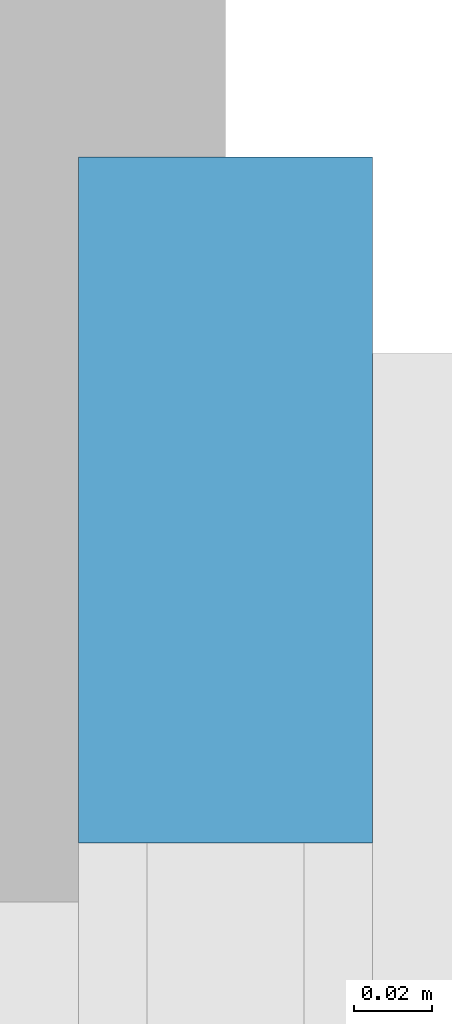
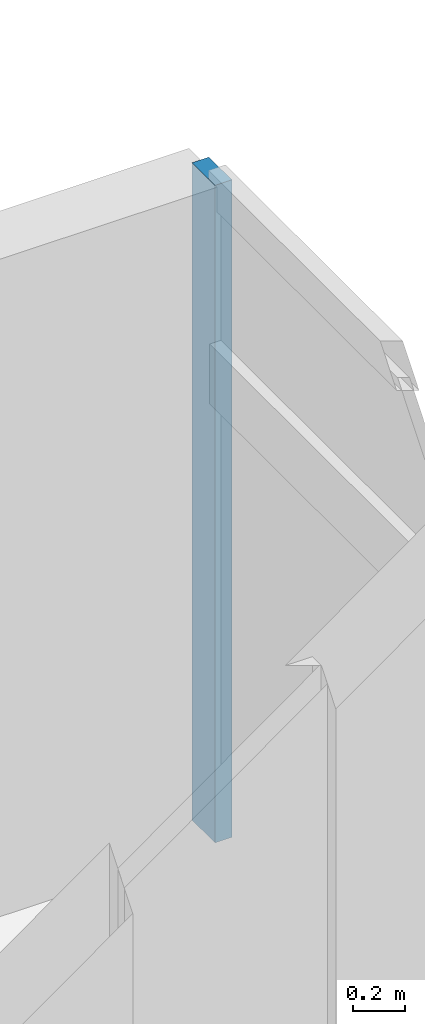
# One storey, part 6 of 14: 1 member, 1 element without a shape of its own.
"""IFC4 building model written with IfcOpenShell, lengths in metres."""

from ifc_helpers import new_model, si_unit, direction, frame, origin, origin_2d, place, context, subcontext, project, spatial, rectangle, extrude, material, material_profile, profile_set, type_object, element, aggregate, save


model = new_model("IFC4")

# Units and contexts
model_context = context("Model", 3, precision=1e-05, world=origin(), true_north=direction((0.0, 1.0)))
body_context = subcontext(model_context, "Body", "Model", "MODEL_VIEW")
ifc_project = project(units=[si_unit("LENGTHUNIT", "METRE"), si_unit("AREAUNIT", "SQUARE_METRE"), si_unit("VOLUMEUNIT", "CUBIC_METRE"), si_unit("PLANEANGLEUNIT", "RADIAN"), si_unit("MASSUNIT", "GRAM", prefix="KILO")], contexts=[model_context])

# Site, building, storey
site_placement = place(None, origin())
site = spatial("IfcSite", under=ifc_project, at=site_placement, CompositionType="ELEMENT")
building_placement = place(site_placement, origin())
building = spatial("IfcBuilding", under=site, at=building_placement, Name="Mirazonda Arch Towers", CompositionType="ELEMENT")
storey_placement = place(building_placement, frame((0.0, 0.0, 242.5)))
storey = spatial("IfcBuildingStorey", under=building, at=storey_placement, Name="L69", CompositionType="ELEMENT", Elevation=242.5)

# Curtain wall, member
ifc_material_1 = material(Name="Anodised Aluminium and Low-E Glass", Category="aluminium")
curtain_wall_type = type_object("IfcCurtainWallType", Name="CW-RES-UNIT", PredefinedType="NOTDEFINED", material=ifc_material_1)
curtain_wall_placement = place(storey_placement, origin())
curtain_wall = element("IfcCurtainWall", 1, at=curtain_wall_placement, inside=storey, type_object=curtain_wall_type, Name="L69 T1 E Facade CW-L69-T1-E", PredefinedType="NOTDEFINED")
ifc_material_2 = material(Name="Anodised Aluminium Alloy", Category="aluminium")
ifc_material_profile = material_profile(ifc_material_2, rectangle(XDim=0.074951171875, YDim=0.175048828125, at=origin_2d()), Name="ALU-MULL-75x175")
ifc_profile_set = profile_set([ifc_material_profile], Name="Anodised Aluminium Alloy")
member_type = type_object("IfcMemberType", Name="MULL-CW-RES-UNIT", PredefinedType="MULLION", material=ifc_profile_set)
member_placement = place(storey_placement, frame((42.5400390625, 41.798583984375, 0.0), z_axis=(0.0, 0.0, 1.0), x_axis=(-1.0, 0.0, 0.0)))
member = element("IfcMember", 2, at=member_placement, type_object=member_type, Name="CW-104 mullion 4", PredefinedType="MULLION", context=body_context, shape_type="SweptSolid", body=[
    extrude(rectangle(XDim=0.074951171875, YDim=0.175048828125, at=origin_2d()), origin(), (0.0, 0.0, 1.0), 3.080078125),
])
aggregate(curtain_wall, [member])

save(model, "model.ifc")
